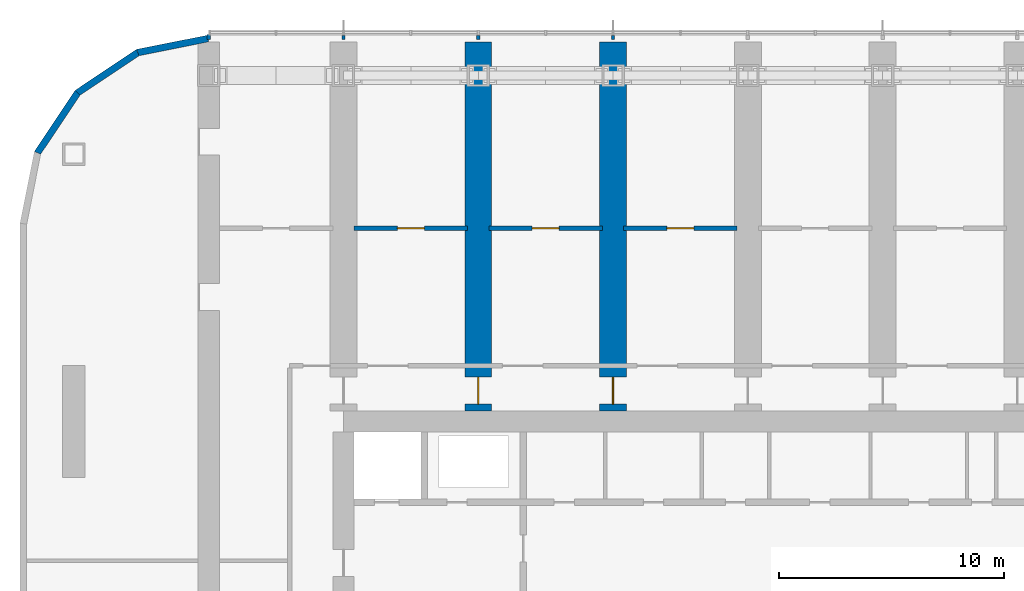
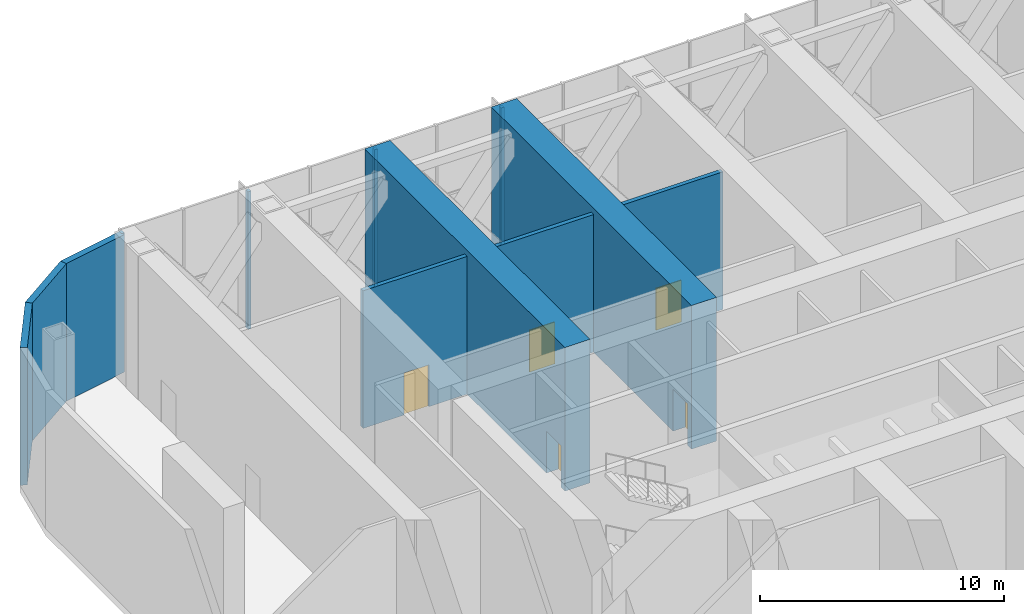
# One storey, part 11 of 22: 12 walls, 5 doors, 5 openings.
"""IFC4 building model written with IfcOpenShell, lengths in metres."""

from ifc_helpers import new_model, si_unit, direction, frame, frame_2d, origin, place, context, subcontext, project, spatial, polyline, rectangle, outline, extrude, material, layer, layer_set, type_object, element, fill, save


model = new_model("IFC4")

# Units and contexts
model_context = context("Model", 3, precision=1e-05, world=origin(), true_north=direction((0.0, 1.0)))
body_context = subcontext(model_context, "Body", "Model", "MODEL_VIEW")
ifc_project = project(units=[si_unit("LENGTHUNIT", "METRE"), si_unit("AREAUNIT", "SQUARE_METRE"), si_unit("VOLUMEUNIT", "CUBIC_METRE"), si_unit("PLANEANGLEUNIT", "RADIAN"), si_unit("MASSUNIT", "GRAM", prefix="KILO")], contexts=[model_context])

# Site, building, storey
site_placement = place(None, origin())
site = spatial("IfcSite", under=ifc_project, at=site_placement, CompositionType="ELEMENT")
building_placement = place(site_placement, origin())
building = spatial("IfcBuilding", under=site, at=building_placement, Name="Orbita Commons", CompositionType="ELEMENT")
storey_placement = place(building_placement, frame((0.0, 0.0, 133.14990234375)))
storey = spatial("IfcBuildingStorey", under=building, at=storey_placement, Name="L33", CompositionType="ELEMENT", Elevation=133.14990234375)

# Wall, opening, door
ifc_material_1 = material(Name="Hollow concrete block 200", Category="concrete")
ifc_layer_1 = layer(ifc_material_1, 0.199951171875)
ifc_layer_set_1 = layer_set([ifc_layer_1], Name="Hollow concrete block 200")
wall_type_1 = type_object("IfcWallType", Name="Corridor wall 200 hollow concrete block", PredefinedType="SOLIDWALL", material=ifc_layer_set_1)
wall_1_placement = place(storey_placement, frame((18.47509765625, 46.800048828125, 0.0), z_axis=(0.0, 0.0, 1.0), x_axis=(1.0, 0.0, 0.0)))
wall_1 = element("IfcWall", 1, at=wall_1_placement, inside=storey, type_object=wall_type_1, Name="Corridor wall 200 hollow concrete block L33", PredefinedType="SOLIDWALL", context=body_context, shape_type="SweptSolid", body=[
    extrude(rectangle(XDim=5.0498046875, YDim=0.199951171875, at=frame_2d((2.52490234375, 0.0))), origin(), (0.0, 0.0, 1.0), 6.900146484375),
])
opening_1_placement = place(wall_1_placement, frame((1.925048828125, 0.0, 0.0)))
opening_1 = element("IfcOpeningElement", 2, at=opening_1_placement, cuts=wall_1, Name="Opening D01", PredefinedType="OPENING", context=body_context, shape_type="SweptSolid", body=[
    extrude(rectangle(XDim=1.199951171875, YDim=2.10009765625, at=frame_2d((0.60009765625, 1.050048828125))), frame((0.0, 0.10986328125, 0.0), z_axis=(0.0, -1.0, 0.0), x_axis=(1.0, 0.0, 0.0)), (0.0, 0.0, 1.0), 0.219970703125),
])
ifc_material_2 = material(Name="Steel-faced fire door leaf", Category="steel")
door_type = type_object("IfcDoorType", Name="Fire door 90 min 1200x2100", OperationType="SINGLE_SWING_LEFT", PredefinedType="DOOR", material=ifc_material_2)
door_1_placement = place(opening_1_placement, origin())
door_1 = element("IfcDoor", 3, at=door_1_placement, inside=storey, type_object=door_type, Name="Plant room door L33", OperationType="SINGLE_SWING_LEFT", OverallHeight=2.10009765625, OverallWidth=1.199951171875, PredefinedType="DOOR", context=body_context, shape_type="SweptSolid", body=[
    extrude(rectangle(XDim=1.199951171875, YDim=2.10009765625, at=frame_2d((0.60009765625, 1.050048828125))), frame((0.0, 0.02490234375, 0.0), z_axis=(0.0, -1.0, 0.0), x_axis=(1.0, 0.0, 0.0)), (0.0, 0.0, 1.0), 0.050048828125),
])
fill(opening_1, door_1)

wall_2_placement = place(storey_placement, frame((24.47509765625, 46.800048828125, 0.0), z_axis=(0.0, 0.0, 1.0), x_axis=(1.0, 0.0, 0.0)))
wall_2 = element("IfcWall", 4, at=wall_2_placement, inside=storey, type_object=wall_type_1, Name="Corridor wall 200 hollow concrete block L33", PredefinedType="SOLIDWALL", context=body_context, shape_type="SweptSolid", body=[
    extrude(rectangle(XDim=5.0498046875, YDim=0.199951171875, at=frame_2d((2.52490234375, 0.0))), origin(), (0.0, 0.0, 1.0), 6.900146484375),
])
opening_2_placement = place(wall_2_placement, frame((1.925048828125, 0.0, 0.0)))
opening_2 = element("IfcOpeningElement", 5, at=opening_2_placement, cuts=wall_2, Name="Opening D01", PredefinedType="OPENING", context=body_context, shape_type="SweptSolid", body=[
    extrude(rectangle(XDim=1.199951171875, YDim=2.10009765625, at=frame_2d((0.60009765625, 1.050048828125))), frame((0.0, 0.10986328125, 0.0), z_axis=(0.0, -1.0, 0.0), x_axis=(1.0, 0.0, 0.0)), (0.0, 0.0, 1.0), 0.219970703125),
])
door_2_placement = place(opening_2_placement, origin())
door_2 = element("IfcDoor", 6, at=door_2_placement, inside=storey, type_object=door_type, Name="Plant room door L33", OperationType="SINGLE_SWING_LEFT", OverallHeight=2.10009765625, OverallWidth=1.199951171875, PredefinedType="DOOR", context=body_context, shape_type="SweptSolid", body=[
    extrude(rectangle(XDim=1.199951171875, YDim=2.10009765625, at=frame_2d((0.60009765625, 1.050048828125))), frame((0.0, 0.02490234375, 0.0), z_axis=(0.0, -1.0, 0.0), x_axis=(1.0, 0.0, 0.0)), (0.0, 0.0, 1.0), 0.050048828125),
])
fill(opening_2, door_2)

wall_3_placement = place(storey_placement, frame((30.47509765625, 46.800048828125, 0.0), z_axis=(0.0, 0.0, 1.0), x_axis=(1.0, 0.0, 0.0)))
wall_3 = element("IfcWall", 7, at=wall_3_placement, inside=storey, type_object=wall_type_1, Name="Corridor wall 200 hollow concrete block L33", PredefinedType="SOLIDWALL", context=body_context, shape_type="SweptSolid", body=[
    extrude(rectangle(XDim=5.0498046875, YDim=0.199951171875, at=frame_2d((2.52490234375, 0.0))), origin(), (0.0, 0.0, 1.0), 6.900146484375),
])
opening_3_placement = place(wall_3_placement, frame((1.925048828125, 0.0, 0.0)))
opening_3 = element("IfcOpeningElement", 8, at=opening_3_placement, cuts=wall_3, Name="Opening D01", PredefinedType="OPENING", context=body_context, shape_type="SweptSolid", body=[
    extrude(rectangle(XDim=1.199951171875, YDim=2.10009765625, at=frame_2d((0.60009765625, 1.050048828125))), frame((0.0, 0.10986328125, 0.0), z_axis=(0.0, -1.0, 0.0), x_axis=(1.0, 0.0, 0.0)), (0.0, 0.0, 1.0), 0.219970703125),
])
door_3_placement = place(opening_3_placement, origin())
door_3 = element("IfcDoor", 9, at=door_3_placement, inside=storey, type_object=door_type, Name="Plant room door L33", OperationType="SINGLE_SWING_LEFT", OverallHeight=2.10009765625, OverallWidth=1.199951171875, PredefinedType="DOOR", context=body_context, shape_type="SweptSolid", body=[
    extrude(rectangle(XDim=1.199951171875, YDim=2.10009765625, at=frame_2d((0.60009765625, 1.050048828125))), frame((0.0, 0.02490234375, 0.0), z_axis=(0.0, -1.0, 0.0), x_axis=(1.0, 0.0, 0.0)), (0.0, 0.0, 1.0), 0.050048828125),
])
fill(opening_3, door_3)

ifc_material_3 = material(Name="Concrete C50/60", Category="concrete")
ifc_layer_2 = layer(ifc_material_3, 1.199951171875)
ifc_layer_set_2 = layer_set([ifc_layer_2], Name="Concrete C50/60")
wall_type_2 = type_object("IfcWallType", Name="Outrigger wall 1200 C50/60", PredefinedType="SHEAR", material=ifc_layer_set_2)
wall_4_placement = place(storey_placement, frame((24.0, 38.675048828125, 0.0), z_axis=(0.0, 0.0, 1.0), x_axis=(0.0, 1.0, 0.0)))
wall_4 = element("IfcWall", 10, at=wall_4_placement, inside=storey, type_object=wall_type_2, Name="Outrigger wall 5 north L33", PredefinedType="SHEAR", context=body_context, shape_type="SweptSolid", body=[
    extrude(rectangle(XDim=16.425048828125, YDim=1.199951171875, at=frame_2d((8.21240234375, 0.0))), origin(), (0.0, 0.0, 1.0), 7.2001953125),
])
opening_4_placement = place(wall_4_placement, frame((0.300048828125, 0.0, 0.0)))
opening_4 = element("IfcOpeningElement", 11, at=opening_4_placement, cuts=wall_4, Name="Opening D01", PredefinedType="OPENING", context=body_context, shape_type="SweptSolid", body=[
    extrude(rectangle(XDim=1.199951171875, YDim=2.10009765625, at=frame_2d((0.60009765625, 1.050048828125))), frame((0.0, 0.60986328125, 0.0), z_axis=(0.0, -1.0, 0.0), x_axis=(1.0, 0.0, 0.0)), (0.0, 0.0, 1.0), 1.219970703125),
])
door_4_placement = place(opening_4_placement, origin())
door_4 = element("IfcDoor", 12, at=door_4_placement, inside=storey, type_object=door_type, Name="Corridor door through cross wall N L33", OperationType="SINGLE_SWING_LEFT", OverallHeight=2.10009765625, OverallWidth=1.199951171875, PredefinedType="DOOR", context=body_context, shape_type="SweptSolid", body=[
    extrude(rectangle(XDim=1.199951171875, YDim=2.10009765625, at=frame_2d((0.60009765625, 1.050048828125))), frame((0.0, 0.02490234375, 0.0), z_axis=(0.0, -1.0, 0.0), x_axis=(1.0, 0.0, 0.0)), (0.0, 0.0, 1.0), 0.050048828125),
])
fill(opening_4, door_4)

wall_5_placement = place(storey_placement, frame((30.0, 38.675048828125, 0.0), z_axis=(0.0, 0.0, 1.0), x_axis=(0.0, 1.0, 0.0)))
wall_5 = element("IfcWall", 13, at=wall_5_placement, inside=storey, type_object=wall_type_2, Name="Outrigger wall 6 north L33", PredefinedType="SHEAR", context=body_context, shape_type="SweptSolid", body=[
    extrude(rectangle(XDim=16.425048828125, YDim=1.199951171875, at=frame_2d((8.21240234375, 0.0))), origin(), (0.0, 0.0, 1.0), 7.2001953125),
])
opening_5_placement = place(wall_5_placement, frame((0.300048828125, 0.0, 0.0)))
opening_5 = element("IfcOpeningElement", 14, at=opening_5_placement, cuts=wall_5, Name="Opening D01", PredefinedType="OPENING", context=body_context, shape_type="SweptSolid", body=[
    extrude(rectangle(XDim=1.199951171875, YDim=2.10009765625, at=frame_2d((0.60009765625, 1.050048828125))), frame((0.0, 0.60986328125, 0.0), z_axis=(0.0, -1.0, 0.0), x_axis=(1.0, 0.0, 0.0)), (0.0, 0.0, 1.0), 1.219970703125),
])
door_5_placement = place(opening_5_placement, origin())
door_5 = element("IfcDoor", 15, at=door_5_placement, inside=storey, type_object=door_type, Name="Corridor door through cross wall N L33", OperationType="SINGLE_SWING_LEFT", OverallHeight=2.10009765625, OverallWidth=1.199951171875, PredefinedType="DOOR", context=body_context, shape_type="SweptSolid", body=[
    extrude(rectangle(XDim=1.199951171875, YDim=2.10009765625, at=frame_2d((0.60009765625, 1.050048828125))), frame((0.0, 0.02490234375, 0.0), z_axis=(0.0, -1.0, 0.0), x_axis=(1.0, 0.0, 0.0)), (0.0, 0.0, 1.0), 0.050048828125),
])
fill(opening_5, door_5)

# Walls
ifc_material_4 = material(Name="Gypsum plasterboard on steel studs", Category="steel")
ifc_layer_3 = layer(ifc_material_4, 0.14990234375)
ifc_layer_set_3 = layer_set([ifc_layer_3], Name="Gypsum plasterboard on steel studs")
wall_type_3 = type_object("IfcWallType", Name="Partition 150 plasterboard", PredefinedType="PARTITIONING", material=ifc_layer_set_3)
wall_6_placement = place(storey_placement, frame((12.0, 55.199951171875, 0.0), z_axis=(0.0, 0.0, 1.0), x_axis=(0.0, 1.0, 0.0)))
element("IfcWall", 16, at=wall_6_placement, inside=storey, type_object=wall_type_3, Name="Partition 150 plasterboard L33", PredefinedType="PARTITIONING", context=body_context, shape_type="SweptSolid", body=[
    extrude(rectangle(XDim=0.219970703125, YDim=0.14990234375, at=frame_2d((0.10986328125, 0.0))), origin(), (0.0, 0.0, 1.0), 6.900146484375),
])
for number, where, z_axis, x_axis, name in (
    (17, (18.0, 55.199951171875, 0.0), (0.0, 0.0, 1.0), (0.0, 1.0, 0.0), "Partition 150 plasterboard L33"),
    (18, (24.0, 55.199951171875, 0.0), (0.0, 0.0, 1.0), (0.0, 1.0, 0.0), "Partition 150 plasterboard L33"),
    (19, (30.0, 55.199951171875, 0.0), (0.0, 0.0, 1.0), (0.0, 1.0, 0.0), "Partition 150 plasterboard L33"),
):
    element("IfcWall", number, at=place(storey_placement, frame(where, z_axis=z_axis, x_axis=x_axis)), inside=storey, type_object=wall_type_3, Name=name, PredefinedType="PARTITIONING", context=body_context, shape_type="SweptSolid", body=[
        extrude(rectangle(XDim=0.18994140625, YDim=0.14990234375, at=frame_2d((0.094970703125, 0.0))), origin(), (0.0, 0.0, 1.0), 6.900146484375),
    ])
ifc_material_5 = material(Name="Precast concrete C40/50, white board-marked finish", Category="concrete")
ifc_layer_4 = layer(ifc_material_5, 0.300048828125)
ifc_layer_set_4 = layer_set([ifc_layer_4], Name="Precast concrete C40/50, white board-marked finish")
wall_type_4 = type_object("IfcWallType", Name="Precast concrete end shield 300", PredefinedType="SOLIDWALL", material=ifc_layer_set_4)
wall_7_placement = place(storey_placement, frame((12.0, 55.25, 0.0), z_axis=(0.0, 0.0, 1.0), x_axis=(-0.980787251524, -0.195080412259, 0.0)))
element("IfcWall", 20, at=wall_7_placement, inside=storey, type_object=wall_type_4, Name="End shield NW chord 1 L33", PredefinedType="SOLIDWALL", context=body_context, shape_type="SweptSolid", body=[
    extrude(outline(polyline([(-0.02978515625, -0.14990234375), (3.24853515625, -0.14990234375), (3.18896484375, 0.14990234375), (0.02978515625, 0.14990234375), (-0.02978515625, -0.14990234375)])), origin(), (0.0, 0.0, 1.0), 6.900146484375),
])
for number, where, z_axis, x_axis, name in (
    (21, (8.843017578125, 54.6220703125, 0.0), (0.0, 0.0, 1.0), (-0.831443069936, -0.555609954424, 0.0), "End shield NW chord 2 L33"),
    (22, (6.16650390625, 52.83349609375, 0.0), (0.0, 0.0, 1.0), (-0.555609954424, -0.831443069936, 0.0), "End shield NW chord 3 L33"),
):
    element("IfcWall", number, at=place(storey_placement, frame(where, z_axis=z_axis, x_axis=x_axis)), inside=storey, type_object=wall_type_4, Name=name, PredefinedType="SOLIDWALL", context=body_context, shape_type="SweptSolid", body=[
        extrude(outline(polyline([(-0.02978515625, -0.14990234375), (3.2490234375, -0.14990234375), (3.189453125, 0.14990234375), (0.02978515625, 0.14990234375), (-0.02978515625, -0.14990234375)])), origin(), (0.0, 0.0, 1.0), 6.900146484375),
    ])

save(model, "model.ifc")
